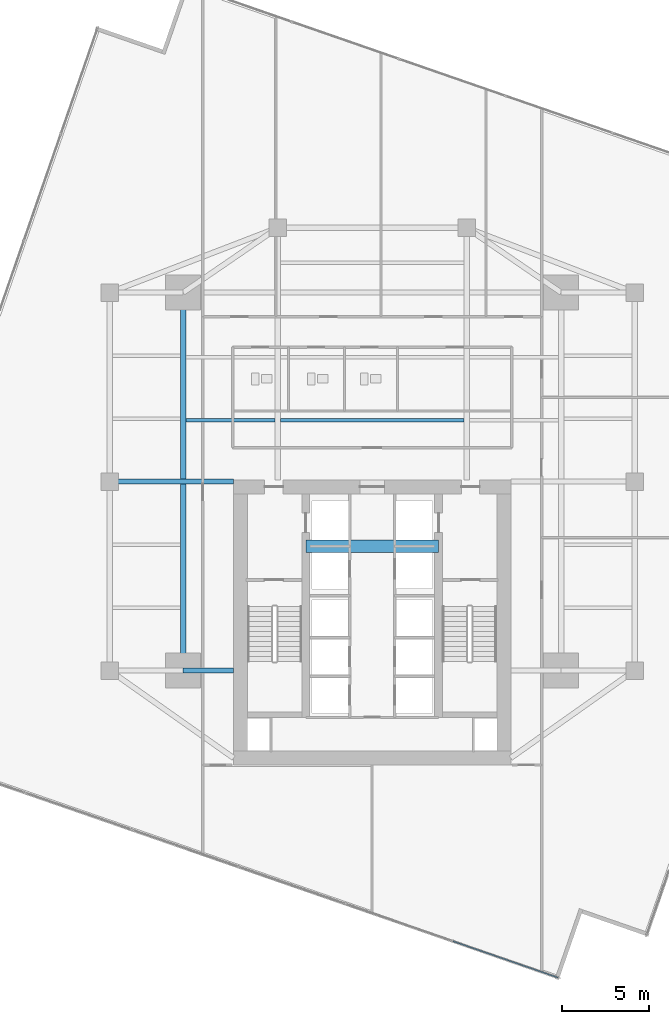
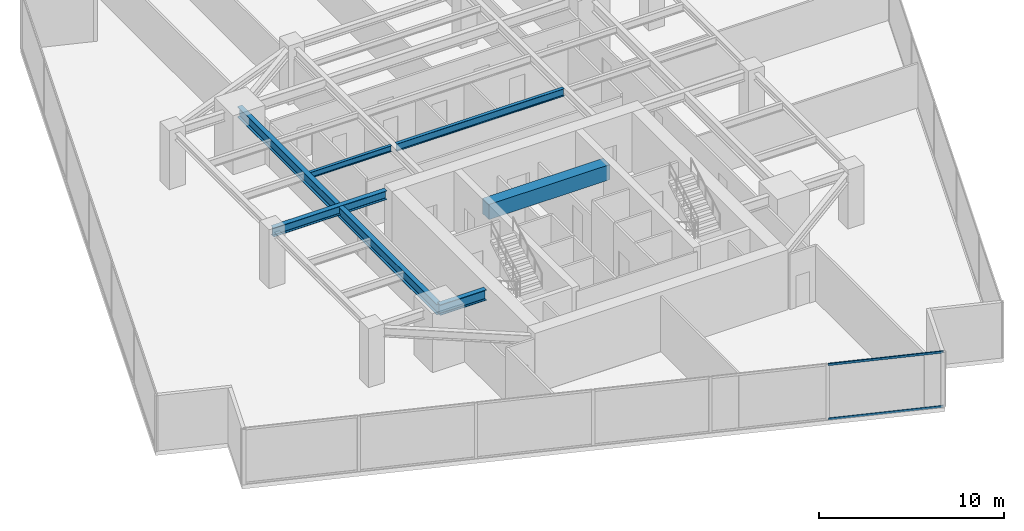
# One storey, part 9 of 28: 6 beams, 2 members, 1 element without a shape of its own.
"""IFC4 building model written with IfcOpenShell, lengths in metres."""

from ifc_helpers import new_model, si_unit, direction, frame, origin, origin_2d, place, context, subcontext, project, spatial, rectangle, hollow_rectangle, i_section, extrude, source, transform, mapped, material, material_profile, profile_set, type_object, type_shapes, element, aggregate, save


model = new_model("IFC4")

# Units and contexts
model_context = context("Model", 3, precision=1e-05, world=origin(), true_north=direction((0.0, 1.0)))
body_context = subcontext(model_context, "Body", "Model", "MODEL_VIEW")
ifc_project = project(units=[si_unit("LENGTHUNIT", "METRE"), si_unit("AREAUNIT", "SQUARE_METRE"), si_unit("VOLUMEUNIT", "CUBIC_METRE"), si_unit("PLANEANGLEUNIT", "RADIAN"), si_unit("MASSUNIT", "GRAM", prefix="KILO")], contexts=[model_context])

# Site, building, storey
site_placement = place(None, origin())
site = spatial("IfcSite", under=ifc_project, at=site_placement, CompositionType="ELEMENT")
building_placement = place(site_placement, origin())
building = spatial("IfcBuilding", under=site, at=building_placement, Name="Krantzveldt Concourse Tower", CompositionType="ELEMENT")
storey_placement = place(building_placement, frame((0.0, 0.0, 117.699951171875)))
storey = spatial("IfcBuildingStorey", under=building, at=storey_placement, Name="L28", CompositionType="ELEMENT", Elevation=117.699951171875)

# Beams
ifc_material_1 = material(Name="Steel S355J2", Category="steel")
ifc_material_profile_1 = material_profile(ifc_material_1, i_section(OverallWidth=0.300048828125, OverallDepth=0.699951171875, WebThickness=0.01708984375, FlangeThickness=0.031982421875, FilletRadius=0.027099609375, at=origin_2d()), Name="Steel S355J2", Category="steel")
ifc_profile_set_1 = profile_set([ifc_material_profile_1], Name="Steel S355J2 - HEB 700")
beam_type_1 = type_object("IfcBeamType", Name="BM-B-HEB700", PredefinedType="BEAM", material=ifc_profile_set_1)
shared_shape_1 = source(origin(), body_context, "Body", "SweptSolid", [
    extrude(i_section(OverallWidth=0.300048828125, OverallDepth=0.699951171875, WebThickness=0.01708984375, FlangeThickness=0.031982421875, FilletRadius=0.027099609375, at=origin_2d()), origin(), (0.0, 0.0, 1.0), 2.880126953125),
])
beam_1_placement = place(storey_placement, frame((25.199951171875, 15.89990234375, 3.320068359375), z_axis=(1.0, 0.0, 0.0), x_axis=(0.0, 1.0, 0.0)))
element("IfcBeam", 1, at=beam_1_placement, inside=storey, type_object=beam_type_1, Name="L28 Tower Girder BG-CW1", PredefinedType="BEAM", context=body_context, shape_type="MappedRepresentation", body=[
    mapped(shared_shape_1, transform((0.0, 0.0, 0.0), x_axis=(1.0, 0.0, 0.0), y_axis=(0.0, 1.0, 0.0), z_axis=(0.0, 0.0, 1.0), scale=1.0)),
])
shared_shape_2 = source(origin(), body_context, "Body", "SweptSolid", [
    extrude(i_section(OverallWidth=0.300048828125, OverallDepth=0.699951171875, WebThickness=0.01708984375, FlangeThickness=0.031982421875, FilletRadius=0.027099609375, at=origin_2d()), origin(), (0.0, 0.0, 1.0), 21.60009765625),
])
type_shapes(beam_type_1, [shared_shape_1, shared_shape_2])
beam_2_placement = place(storey_placement, frame((25.199951171875, 15.89990234375, 3.320068359375), z_axis=(0.0, 1.0, 0.0), x_axis=(-1.0, 0.0, 0.0)))
element("IfcBeam", 2, at=beam_2_placement, inside=storey, type_object=beam_type_1, Name="L28 Tower Girder BG-MW", PredefinedType="BEAM", context=body_context, shape_type="MappedRepresentation", body=[
    mapped(shared_shape_2, transform((0.0, 0.0, 0.0), x_axis=(1.0, 0.0, 0.0), y_axis=(0.0, 1.0, 0.0), z_axis=(0.0, 0.0, 1.0), scale=1.0)),
])
ifc_material_2 = material(Name="Steel S355JR", Category="steel")
ifc_material_profile_2 = material_profile(ifc_material_2, i_section(OverallWidth=0.300048828125, OverallDepth=0.590087890625, WebThickness=0.012939453125, FlangeThickness=0.02490234375, FilletRadius=0.027099609375, at=origin_2d()), Name="Steel S355JR", Category="steel")
ifc_profile_set_2 = profile_set([ifc_material_profile_2], Name="Steel S355JR - HEA 600")
beam_type_2 = type_object("IfcBeamType", Name="BM-B-HEA600", PredefinedType="BEAM", material=ifc_profile_set_2)
shared_shape_3 = source(origin(), body_context, "Body", "SweptSolid", [
    extrude(i_section(OverallWidth=0.300048828125, OverallDepth=0.590087890625, WebThickness=0.012939453125, FlangeThickness=0.02490234375, FilletRadius=0.027099609375, at=origin_2d()), origin(), (0.0, 0.0, 1.0), 7.080078125),
])
type_shapes(beam_type_2, [shared_shape_3])
beam_3_placement = place(storey_placement, frame((21.0, 26.699951171875, 3.375), z_axis=(1.0, 0.0, 0.0), x_axis=(0.0, 1.0, 0.0)))
element("IfcBeam", 3, at=beam_3_placement, inside=storey, type_object=beam_type_2, Name="L28 Tower Girder BG-CW2", PredefinedType="BEAM", context=body_context, shape_type="MappedRepresentation", body=[
    mapped(shared_shape_3, transform((0.0, 0.0, 0.0), x_axis=(1.0, 0.0, 0.0), y_axis=(0.0, 1.0, 0.0), z_axis=(0.0, 0.0, 1.0), scale=1.0)),
])
ifc_material_profile_3 = material_profile(ifc_material_2, i_section(OverallWidth=0.199951171875, OverallDepth=0.5, WebThickness=0.01025390625, FlangeThickness=0.01611328125, FilletRadius=0.02099609375, at=origin_2d()), Name="Steel S355JR", Category="steel")
ifc_profile_set_3 = profile_set([ifc_material_profile_3], Name="Steel S355JR - IPE 500")
beam_type_3 = type_object("IfcBeamType", Name="BM-J-IPE500", PredefinedType="JOIST", material=ifc_profile_set_3)
shared_shape_4 = source(origin(), body_context, "Body", "SweptSolid", [
    extrude(i_section(OverallWidth=0.199951171875, OverallDepth=0.5, WebThickness=0.01025390625, FlangeThickness=0.01611328125, FilletRadius=0.02099609375, at=origin_2d()), origin(), (0.0, 0.0, 1.0), 10.5),
])
type_shapes(beam_type_3, [shared_shape_4])
beam_4_placement = place(storey_placement, frame((30.75, 30.199951171875, 3.420166015625), z_axis=(1.0, 0.0, 0.0), x_axis=(0.0, 1.0, 0.0)))
element("IfcBeam", 4, at=beam_4_placement, inside=storey, type_object=beam_type_3, Name="L28 Secondary Floor Joist JN-C1", PredefinedType="JOIST", context=body_context, shape_type="MappedRepresentation", body=[
    mapped(shared_shape_4, transform((0.0, 0.0, 0.0), x_axis=(1.0, 0.0, 0.0), y_axis=(0.0, 1.0, 0.0), z_axis=(0.0, 0.0, 1.0), scale=1.0)),
])
ifc_material_profile_4 = material_profile(ifc_material_2, i_section(OverallWidth=0.179931640625, OverallDepth=0.39990234375, WebThickness=0.008544921875, FlangeThickness=0.013427734375, FilletRadius=0.02099609375, at=origin_2d()), Name="Steel S355JR", Category="steel")
ifc_profile_set_4 = profile_set([ifc_material_profile_4], Name="Steel S355JR - IPE 400")
beam_type_4 = type_object("IfcBeamType", Name="BM-J-IPE400", PredefinedType="JOIST", material=ifc_profile_set_4)
shared_shape_5 = source(origin(), body_context, "Body", "SweptSolid", [
    extrude(i_section(OverallWidth=0.179931640625, OverallDepth=0.39990234375, WebThickness=0.008544921875, FlangeThickness=0.013427734375, FilletRadius=0.02099609375, at=origin_2d()), origin(), (0.0, 0.0, 1.0), 5.099853515625),
])
type_shapes(beam_type_4, [shared_shape_5])
beam_5_placement = place(storey_placement, frame((25.35009765625, 30.199951171875, 3.469970703125), z_axis=(1.0, 0.0, 0.0), x_axis=(0.0, 1.0, 0.0)))
element("IfcBeam", 5, at=beam_5_placement, inside=storey, type_object=beam_type_4, Name="L28 Secondary Floor Joist JN-W1", PredefinedType="JOIST", context=body_context, shape_type="MappedRepresentation", body=[
    mapped(shared_shape_5, transform((0.0, 0.0, 0.0), x_axis=(1.0, 0.0, 0.0), y_axis=(0.0, 1.0, 0.0), z_axis=(0.0, 0.0, 1.0), scale=1.0)),
])
ifc_material_3 = material(Name="Concrete C50/60", Category="concrete")
ifc_material_profile_5 = material_profile(ifc_material_3, rectangle(XDim=0.699951171875, YDim=1.0, at=origin_2d()), Name="Concrete C50/60", Category="concrete")
ifc_profile_set_5 = profile_set([ifc_material_profile_5], Name="Concrete C50/60 - RC-CB 700x1000")
beam_type_5 = type_object("IfcBeamType", Name="BM-CB-1000", PredefinedType="LINTEL", material=ifc_profile_set_5)
shared_shape_6 = source(origin(), body_context, "Body", "SweptSolid", [
    extrude(rectangle(XDim=0.699951171875, YDim=1.0, at=origin_2d()), origin(), (0.0, 0.0, 1.0), 7.580078125),
])
type_shapes(beam_type_5, [shared_shape_6])
beam_6_placement = place(storey_placement, frame((32.2099609375, 23.0, 3.170166015625), z_axis=(1.0, 0.0, 0.0), x_axis=(0.0, 1.0, 0.0)))
element("IfcBeam", 6, at=beam_6_placement, inside=storey, type_object=beam_type_5, Name="CB-L28-01", PredefinedType="LINTEL", context=body_context, shape_type="MappedRepresentation", body=[
    mapped(shared_shape_6, transform((0.0, 0.0, 0.0), x_axis=(1.0, 0.0, 0.0), y_axis=(0.0, 1.0, 0.0), z_axis=(0.0, 0.0, 1.0), scale=1.0)),
])

# Curtain wall, members
ifc_material_4 = material(Name="Anodised aluminium 6063-T6", Category="aluminium")
curtain_wall_type = type_object("IfcCurtainWallType", Name="CW2", PredefinedType="USERDEFINED", material=ifc_material_4)
curtain_wall_placement = place(storey_placement, origin())
curtain_wall = element("IfcCurtainWall", 7, at=curtain_wall_placement, inside=storey, type_object=curtain_wall_type, Name="CW-L28-F04", ObjectType="UNITISED CURTAIN WALL", PredefinedType="USERDEFINED")
ifc_material_profile_6 = material_profile(ifc_material_4, hollow_rectangle(XDim=0.070068359375, YDim=0.139892578125, WallThickness=0.0048828125, at=origin_2d()), Name="Anodised aluminium 6063-T6", Category="aluminium")
ifc_profile_set_6 = profile_set([ifc_material_profile_6], Name="Anodised aluminium 6063-T6 - ALU-TRAN 140x70x5")
member_type = type_object("IfcMemberType", Name="CW-TRN-150", PredefinedType="USERDEFINED", material=ifc_profile_set_6)
shared_shape_7 = source(origin(), body_context, "Body", "SweptSolid", [
    extrude(hollow_rectangle(XDim=0.070068359375, YDim=0.139892578125, WallThickness=0.0048828125, at=origin_2d()), origin(), (0.0, 0.0, 1.0), 6.361572265625),
])
type_shapes(member_type, [shared_shape_7])
member_1_placement = place(storey_placement, frame((40.615478515625, 0.427734375, 0.03515625), z_axis=(0.944807532294, -0.327625894764, 0.0), x_axis=(0.327625894764, 0.944807532294, 0.0)))
member_1 = element("IfcMember", 8, at=member_1_placement, type_object=member_type, Name="CW-Z12 transom 6.1", ObjectType="TRANSOM", PredefinedType="USERDEFINED", context=body_context, shape_type="MappedRepresentation", body=[
    mapped(shared_shape_7, transform((0.0, 0.0, 0.0), x_axis=(1.0, 0.0, 0.0), y_axis=(0.0, 1.0, 0.0), z_axis=(0.0, 0.0, 1.0), scale=1.0)),
])
member_2_placement = place(storey_placement, frame((40.615478515625, 0.427734375, 3.635009765625), z_axis=(0.944807532294, -0.327625894764, 0.0), x_axis=(0.327625894764, 0.944807532294, 0.0)))
member_2 = element("IfcMember", 9, at=member_2_placement, type_object=member_type, Name="CW-Z12 transom 6.2", ObjectType="TRANSOM", PredefinedType="USERDEFINED", context=body_context, shape_type="MappedRepresentation", body=[
    mapped(shared_shape_7, transform((0.0, 0.0, 0.0), x_axis=(1.0, 0.0, 0.0), y_axis=(0.0, 1.0, 0.0), z_axis=(0.0, 0.0, 1.0), scale=1.0)),
])
aggregate(curtain_wall, [member_1, member_2])

save(model, "model.ifc")
